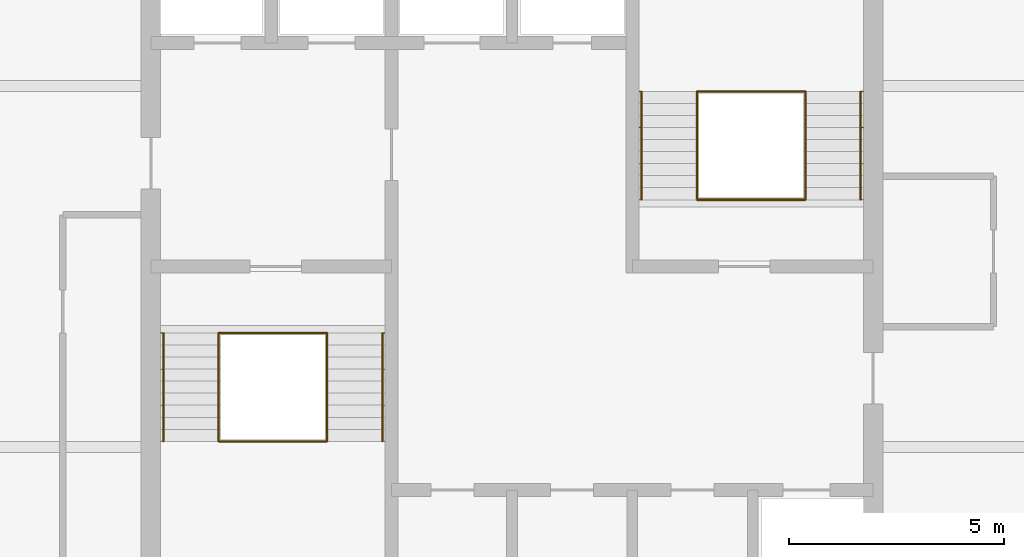
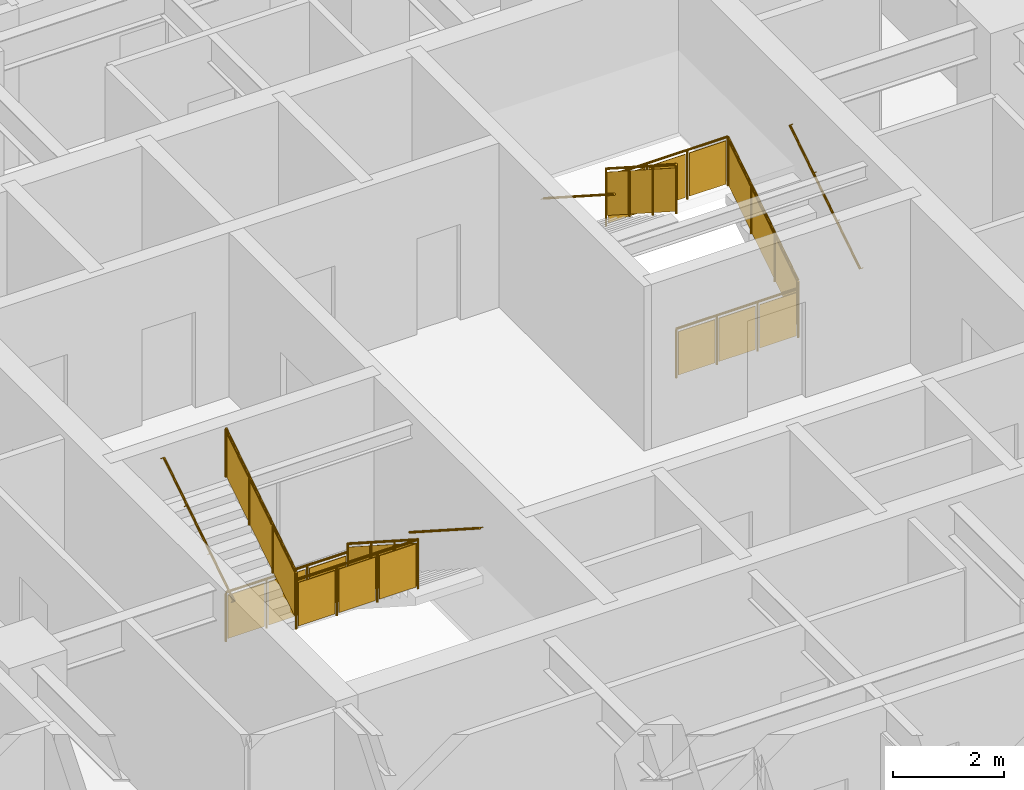
# One storey, part 10 of 10: 12 railings.
"""IFC4 building model written with IfcOpenShell, lengths in metres."""

from ifc_helpers import new_model, si_unit, direction, frame, origin, origin_2d, place, context, subcontext, project, spatial, polyline, circle, outline, extrude, material, type_object, element, save


model = new_model("IFC4")

# Units and contexts
model_context = context("Model", 3, precision=1e-05, world=origin(), true_north=direction((0.0, 1.0)))
body_context = subcontext(model_context, "Body", "Model", "MODEL_VIEW")
ifc_project = project(units=[si_unit("LENGTHUNIT", "METRE"), si_unit("AREAUNIT", "SQUARE_METRE"), si_unit("VOLUMEUNIT", "CUBIC_METRE"), si_unit("PLANEANGLEUNIT", "RADIAN"), si_unit("MASSUNIT", "GRAM", prefix="KILO")], contexts=[model_context])

# Site, building, storey
site_placement = place(None, origin())
site = spatial("IfcSite", under=ifc_project, at=site_placement, CompositionType="ELEMENT")
building_placement = place(site_placement, origin())
building = spatial("IfcBuilding", under=site, at=building_placement, Name="Torre Alcanfor", CompositionType="ELEMENT")
storey_placement = place(building_placement, frame((0.0, 0.0, 261.300048828125)))
storey = spatial("IfcBuildingStorey", under=building, at=storey_placement, Name="L68", CompositionType="ELEMENT", Elevation=261.300048828125)

# Railings
ifc_material_1 = material(Name="Steel ASTM A500 Grade C hollow sections", Category="steel")
railing_type_1 = type_object("IfcRailingType", Name="Stair guard and handrail 1100", PredefinedType="GUARDRAIL", material=ifc_material_1)
railing_1_placement = place(storey_placement, frame((25.10009765625, 27.85009765625, 0.179931640625)))
element("IfcRailing", 1, at=railing_1_placement, inside=storey, type_object=railing_type_1, Name="Stair guard S1 L68 flight 1", PredefinedType="GUARDRAIL", context=body_context, shape_type="SweptSolid", body=[
    extrude(circle(Radius=0.02392578125, at=origin_2d()), frame((0.0, 0.0, 1.076171875), z_axis=(0.0, -0.841162588446, 0.540782303519), x_axis=(1.0, 0.0, 0.0)), (0.0, 0.0, 1.0), 2.995849609375),
    extrude(circle(Radius=0.02099609375, at=origin_2d()), origin(), (0.0, 0.0, 1.0), 1.052001953125),
    extrude(circle(Radius=0.02099609375, at=origin_2d()), frame((0.0, -0.840087890625, 0.5400390625)), (0.0, 0.0, 1.0), 1.052001953125),
    extrude(circle(Radius=0.02099609375, at=origin_2d()), frame((0.0, -1.679931640625, 1.080078125)), (0.0, 0.0, 1.0), 1.052001953125),
    extrude(circle(Radius=0.02099609375, at=origin_2d()), frame((0.0, -2.52001953125, 1.6201171875)), (0.0, 0.0, 1.0), 1.052001953125),
    extrude(outline(polyline([(0.041015625, 0.076416015625), (0.799072265625, 0.563720703125), (0.799072265625, 1.515625), (0.041015625, 1.0283203125), (0.041015625, 0.076416015625)])), frame((0.005859375, 0.0, 0.0), z_axis=(-1.0, 0.0, 0.0), x_axis=(0.0, -1.0, 0.0)), (0.0, 0.0, 1.0), 0.011962890625),
    extrude(outline(polyline([(0.881103515625, 0.616455078125), (1.638916015625, 1.103759765625), (1.638916015625, 2.0556640625), (0.881103515625, 1.568359375), (0.881103515625, 0.616455078125)])), frame((0.005859375, 0.0, 0.0), z_axis=(-1.0, 0.0, 0.0), x_axis=(0.0, -1.0, 0.0)), (0.0, 0.0, 1.0), 0.011962890625),
    extrude(outline(polyline([(1.720947265625, 1.156494140625), (2.47900390625, 1.643798828125), (2.47900390625, 2.595703125), (1.720947265625, 2.1083984375), (1.720947265625, 1.156494140625)])), frame((0.005859375, 0.0, 0.0), z_axis=(-1.0, 0.0, 0.0), x_axis=(0.0, -1.0, 0.0)), (0.0, 0.0, 1.0), 0.011962890625),
])
railing_2_placement = place(storey_placement, frame((22.574951171875, 25.330078125, 1.97998046875)))
element("IfcRailing", 2, at=railing_2_placement, inside=storey, type_object=railing_type_1, Name="Stair guard S1 L68 flight 2", PredefinedType="GUARDRAIL", context=body_context, shape_type="SweptSolid", body=[
    extrude(circle(Radius=0.02392578125, at=origin_2d()), frame((0.0, 0.0, 1.076171875), z_axis=(0.0, 0.841199657755, 0.540724639528), x_axis=(-1.0, 0.0, 0.0)), (0.0, 0.0, 1.0), 2.995849609375),
    extrude(circle(Radius=0.02099609375, at=origin_2d()), origin(), (0.0, 0.0, 1.0), 1.052001953125),
    extrude(circle(Radius=0.02099609375, at=origin_2d()), frame((0.0, 0.840087890625, 0.5400390625)), (0.0, 0.0, 1.0), 1.052001953125),
    extrude(circle(Radius=0.02099609375, at=origin_2d()), frame((0.0, 1.679931640625, 1.079833984375)), (0.0, 0.0, 1.0), 1.052001953125),
    extrude(circle(Radius=0.02099609375, at=origin_2d()), frame((0.0, 2.52001953125, 1.619873046875)), (0.0, 0.0, 1.0), 1.052001953125),
    extrude(outline(polyline([(0.041015625, 0.076416015625), (0.799072265625, 0.563720703125), (0.799072265625, 1.515625), (0.041015625, 1.0283203125), (0.041015625, 0.076416015625)])), frame((-0.005859375, 0.0, 0.0), z_axis=(1.0, 0.0, 0.0), x_axis=(0.0, 1.0, 0.0)), (0.0, 0.0, 1.0), 0.011962890625),
    extrude(outline(polyline([(0.881103515625, 0.6162109375), (1.638916015625, 1.103515625), (1.638916015625, 2.0556640625), (0.881103515625, 1.568359375), (0.881103515625, 0.6162109375)])), frame((-0.005859375, 0.0, 0.0), z_axis=(1.0, 0.0, 0.0), x_axis=(0.0, 1.0, 0.0)), (0.0, 0.0, 1.0), 0.011962890625),
    extrude(outline(polyline([(1.720947265625, 1.15625), (2.47900390625, 1.6435546875), (2.47900390625, 2.595458984375), (1.720947265625, 2.108154296875), (1.720947265625, 1.15625)])), frame((-0.005859375, 0.0, 0.0), z_axis=(1.0, 0.0, 0.0), x_axis=(0.0, 1.0, 0.0)), (0.0, 0.0, 1.0), 0.011962890625),
])
for number, where, name in (
    (3, (22.574951171875, 27.85009765625, 0.0), "Stair well guard S1 L68 floor landing"),
    (4, (22.574951171875, 25.330078125, 1.800048828125), "Stair well guard S1 L68 half landing"),
):
    element("IfcRailing", number, at=place(storey_placement, frame(where)), inside=storey, type_object=railing_type_1, Name=name, PredefinedType="GUARDRAIL", context=body_context, shape_type="SweptSolid", body=[
        extrude(circle(Radius=0.02392578125, at=origin_2d()), frame((0.0, 0.0, 1.076171875), z_axis=(1.0, 0.0, 0.0), x_axis=(0.0, 1.0, 0.0)), (0.0, 0.0, 1.0), 2.525146484375),
        extrude(circle(Radius=0.02099609375, at=origin_2d()), origin(), (0.0, 0.0, 1.0), 1.052001953125),
        extrude(circle(Radius=0.02099609375, at=origin_2d()), frame((0.841796875, 0.0, 0.0)), (0.0, 0.0, 1.0), 1.052001953125),
        extrude(circle(Radius=0.02099609375, at=origin_2d()), frame((1.683349609375, 0.0, 0.0)), (0.0, 0.0, 1.0), 1.052001953125),
        extrude(circle(Radius=0.02099609375, at=origin_2d()), frame((2.525146484375, 0.0, 0.0)), (0.0, 0.0, 1.0), 1.052001953125),
        extrude(outline(polyline([(0.041015625, 0.050048828125), (0.80078125, 0.050048828125), (0.80078125, 1.001953125), (0.041015625, 1.001953125), (0.041015625, 0.050048828125)])), frame((0.0, 0.005859375, 0.0), z_axis=(0.0, -1.0, 0.0), x_axis=(1.0, 0.0, 0.0)), (0.0, 0.0, 1.0), 0.011962890625),
        extrude(outline(polyline([(0.8828125, 0.050048828125), (1.642333984375, 0.050048828125), (1.642333984375, 1.001953125), (0.8828125, 1.001953125), (0.8828125, 0.050048828125)])), frame((0.0, 0.005859375, 0.0), z_axis=(0.0, -1.0, 0.0), x_axis=(1.0, 0.0, 0.0)), (0.0, 0.0, 1.0), 0.011962890625),
        extrude(outline(polyline([(1.724365234375, 0.050048828125), (2.484130859375, 0.050048828125), (2.484130859375, 1.001953125), (1.724365234375, 1.001953125), (1.724365234375, 0.050048828125)])), frame((0.0, 0.005859375, 0.0), z_axis=(0.0, -1.0, 0.0), x_axis=(1.0, 0.0, 0.0)), (0.0, 0.0, 1.0), 0.011962890625),
    ])
railing_3_placement = place(storey_placement, frame((36.22509765625, 30.949951171875, 0.179931640625)))
element("IfcRailing", 5, at=railing_3_placement, inside=storey, type_object=railing_type_1, Name="Stair guard S2 L68 flight 1", PredefinedType="GUARDRAIL", context=body_context, shape_type="SweptSolid", body=[
    extrude(circle(Radius=0.02392578125, at=origin_2d()), frame((0.0, 0.0, 1.076171875), z_axis=(0.0, 0.841162588446, 0.540782303519), x_axis=(-1.0, 0.0, 0.0)), (0.0, 0.0, 1.0), 2.995849609375),
    extrude(circle(Radius=0.02099609375, at=origin_2d()), origin(), (0.0, 0.0, 1.0), 1.052001953125),
    extrude(circle(Radius=0.02099609375, at=origin_2d()), frame((0.0, 0.840087890625, 0.5400390625)), (0.0, 0.0, 1.0), 1.052001953125),
    extrude(circle(Radius=0.02099609375, at=origin_2d()), frame((0.0, 1.679931640625, 1.080078125)), (0.0, 0.0, 1.0), 1.052001953125),
    extrude(circle(Radius=0.02099609375, at=origin_2d()), frame((0.0, 2.52001953125, 1.6201171875)), (0.0, 0.0, 1.0), 1.052001953125),
    extrude(outline(polyline([(0.041015625, 0.076416015625), (0.799072265625, 0.563720703125), (0.799072265625, 1.515625), (0.041015625, 1.0283203125), (0.041015625, 0.076416015625)])), frame((-0.005859375, 0.0, 0.0), z_axis=(1.0, 0.0, 0.0), x_axis=(0.0, 1.0, 0.0)), (0.0, 0.0, 1.0), 0.011962890625),
    extrude(outline(polyline([(0.881103515625, 0.616455078125), (1.638916015625, 1.103759765625), (1.638916015625, 2.0556640625), (0.881103515625, 1.568359375), (0.881103515625, 0.616455078125)])), frame((-0.005859375, 0.0, 0.0), z_axis=(1.0, 0.0, 0.0), x_axis=(0.0, 1.0, 0.0)), (0.0, 0.0, 1.0), 0.011962890625),
    extrude(outline(polyline([(1.720947265625, 1.156494140625), (2.47900390625, 1.643798828125), (2.47900390625, 2.595703125), (1.720947265625, 2.1083984375), (1.720947265625, 1.156494140625)])), frame((-0.005859375, 0.0, 0.0), z_axis=(1.0, 0.0, 0.0), x_axis=(0.0, 1.0, 0.0)), (0.0, 0.0, 1.0), 0.011962890625),
])
railing_4_placement = place(storey_placement, frame((33.699951171875, 33.469970703125, 1.97998046875)))
element("IfcRailing", 6, at=railing_4_placement, inside=storey, type_object=railing_type_1, Name="Stair guard S2 L68 flight 2", PredefinedType="GUARDRAIL", context=body_context, shape_type="SweptSolid", body=[
    extrude(circle(Radius=0.02392578125, at=origin_2d()), frame((0.0, 0.0, 1.076171875), z_axis=(0.0, -0.841199657755, 0.540724639528), x_axis=(1.0, 0.0, 0.0)), (0.0, 0.0, 1.0), 2.995849609375),
    extrude(circle(Radius=0.02099609375, at=origin_2d()), origin(), (0.0, 0.0, 1.0), 1.052001953125),
    extrude(circle(Radius=0.02099609375, at=origin_2d()), frame((0.0, -0.840087890625, 0.5400390625)), (0.0, 0.0, 1.0), 1.052001953125),
    extrude(circle(Radius=0.02099609375, at=origin_2d()), frame((0.0, -1.679931640625, 1.079833984375)), (0.0, 0.0, 1.0), 1.052001953125),
    extrude(circle(Radius=0.02099609375, at=origin_2d()), frame((0.0, -2.52001953125, 1.619873046875)), (0.0, 0.0, 1.0), 1.052001953125),
    extrude(outline(polyline([(0.041015625, 0.076416015625), (0.799072265625, 0.563720703125), (0.799072265625, 1.515625), (0.041015625, 1.0283203125), (0.041015625, 0.076416015625)])), frame((0.005859375, 0.0, 0.0), z_axis=(-1.0, 0.0, 0.0), x_axis=(0.0, -1.0, 0.0)), (0.0, 0.0, 1.0), 0.011962890625),
    extrude(outline(polyline([(0.881103515625, 0.6162109375), (1.638916015625, 1.103515625), (1.638916015625, 2.0556640625), (0.881103515625, 1.568359375), (0.881103515625, 0.6162109375)])), frame((0.005859375, 0.0, 0.0), z_axis=(-1.0, 0.0, 0.0), x_axis=(0.0, -1.0, 0.0)), (0.0, 0.0, 1.0), 0.011962890625),
    extrude(outline(polyline([(1.720947265625, 1.15625), (2.47900390625, 1.6435546875), (2.47900390625, 2.595458984375), (1.720947265625, 2.108154296875), (1.720947265625, 1.15625)])), frame((0.005859375, 0.0, 0.0), z_axis=(-1.0, 0.0, 0.0), x_axis=(0.0, -1.0, 0.0)), (0.0, 0.0, 1.0), 0.011962890625),
])
for number, where, name in (
    (7, (33.699951171875, 30.949951171875, 0.0), "Stair well guard S2 L68 floor landing"),
    (8, (33.699951171875, 33.469970703125, 1.800048828125), "Stair well guard S2 L68 half landing"),
):
    element("IfcRailing", number, at=place(storey_placement, frame(where)), inside=storey, type_object=railing_type_1, Name=name, PredefinedType="GUARDRAIL", context=body_context, shape_type="SweptSolid", body=[
        extrude(circle(Radius=0.02392578125, at=origin_2d()), frame((0.0, 0.0, 1.076171875), z_axis=(1.0, 0.0, 0.0), x_axis=(0.0, 1.0, 0.0)), (0.0, 0.0, 1.0), 2.525146484375),
        extrude(circle(Radius=0.02099609375, at=origin_2d()), origin(), (0.0, 0.0, 1.0), 1.052001953125),
        extrude(circle(Radius=0.02099609375, at=origin_2d()), frame((0.841796875, 0.0, 0.0)), (0.0, 0.0, 1.0), 1.052001953125),
        extrude(circle(Radius=0.02099609375, at=origin_2d()), frame((1.683349609375, 0.0, 0.0)), (0.0, 0.0, 1.0), 1.052001953125),
        extrude(circle(Radius=0.02099609375, at=origin_2d()), frame((2.525146484375, 0.0, 0.0)), (0.0, 0.0, 1.0), 1.052001953125),
        extrude(outline(polyline([(0.041015625, 0.050048828125), (0.80078125, 0.050048828125), (0.80078125, 1.001953125), (0.041015625, 1.001953125), (0.041015625, 0.050048828125)])), frame((0.0, 0.005859375, 0.0), z_axis=(0.0, -1.0, 0.0), x_axis=(1.0, 0.0, 0.0)), (0.0, 0.0, 1.0), 0.011962890625),
        extrude(outline(polyline([(0.8828125, 0.050048828125), (1.642333984375, 0.050048828125), (1.642333984375, 1.001953125), (0.8828125, 1.001953125), (0.8828125, 0.050048828125)])), frame((0.0, 0.005859375, 0.0), z_axis=(0.0, -1.0, 0.0), x_axis=(1.0, 0.0, 0.0)), (0.0, 0.0, 1.0), 0.011962890625),
        extrude(outline(polyline([(1.724365234375, 0.050048828125), (2.484130859375, 0.050048828125), (2.484130859375, 1.001953125), (1.724365234375, 1.001953125), (1.724365234375, 0.050048828125)])), frame((0.0, 0.005859375, 0.0), z_axis=(0.0, -1.0, 0.0), x_axis=(1.0, 0.0, 0.0)), (0.0, 0.0, 1.0), 0.011962890625),
    ])
ifc_material_2 = material(Name="Steel ASTM A500 Grade C hollow sections", Category="steel")
railing_type_2 = type_object("IfcRailingType", Name="Stair wall handrail 900", PredefinedType="HANDRAIL", material=ifc_material_2)
railing_5_placement = place(storey_placement, frame((26.385009765625, 27.85009765625, 0.179931640625)))
element("IfcRailing", 9, at=railing_5_placement, inside=storey, type_object=railing_type_2, Name="Stair handrail S1 L68 flight 1", PredefinedType="HANDRAIL", context=body_context, shape_type="SweptSolid", body=[
    extrude(circle(Radius=0.02392578125, at=origin_2d()), frame((0.0, 0.0, 0.8759765625), z_axis=(0.0, -0.841162588446, 0.540782303519), x_axis=(1.0, 0.0, 0.0)), (0.0, 0.0, 1.0), 2.995849609375),
    extrude(circle(Radius=0.008056640625, at=origin_2d()), frame((0.0, 0.0, 0.8759765625), z_axis=(1.0, 0.0, 0.0), x_axis=(0.0, 0.0, 1.0)), (0.0, 0.0, 1.0), 0.06494140625),
    extrude(circle(Radius=0.008056640625, at=origin_2d()), frame((0.0, -0.840087890625, 1.416015625), z_axis=(1.0, 0.0, 0.0), x_axis=(0.0, 0.0, 1.0)), (0.0, 0.0, 1.0), 0.06494140625),
    extrude(circle(Radius=0.008056640625, at=origin_2d()), frame((0.0, -1.679931640625, 1.9560546875), z_axis=(1.0, 0.0, 0.0), x_axis=(0.0, 0.0, 1.0)), (0.0, 0.0, 1.0), 0.06494140625),
    extrude(circle(Radius=0.008056640625, at=origin_2d()), frame((0.0, -2.52001953125, 2.49609375), z_axis=(1.0, 0.0, 0.0), x_axis=(0.0, 0.0, 1.0)), (0.0, 0.0, 1.0), 0.06494140625),
])
railing_6_placement = place(storey_placement, frame((21.2900390625, 25.330078125, 1.97998046875)))
element("IfcRailing", 10, at=railing_6_placement, inside=storey, type_object=railing_type_2, Name="Stair handrail S1 L68 flight 2", PredefinedType="HANDRAIL", context=body_context, shape_type="SweptSolid", body=[
    extrude(circle(Radius=0.02392578125, at=origin_2d()), frame((0.0, 0.0, 0.8759765625), z_axis=(0.0, 0.841199657755, 0.540724639528), x_axis=(-1.0, 0.0, 0.0)), (0.0, 0.0, 1.0), 2.995849609375),
    extrude(circle(Radius=0.008056640625, at=origin_2d()), frame((0.0, 0.0, 0.8759765625), z_axis=(-1.0, 0.0, 0.0), x_axis=(0.0, 0.0, 1.0)), (0.0, 0.0, 1.0), 0.06494140625),
    extrude(circle(Radius=0.008056640625, at=origin_2d()), frame((0.0, 0.840087890625, 1.415771484375), z_axis=(-1.0, 0.0, 0.0), x_axis=(0.0, 0.0, 1.0)), (0.0, 0.0, 1.0), 0.06494140625),
    extrude(circle(Radius=0.008056640625, at=origin_2d()), frame((0.0, 1.679931640625, 1.955810546875), z_axis=(-1.0, 0.0, 0.0), x_axis=(0.0, 0.0, 1.0)), (0.0, 0.0, 1.0), 0.06494140625),
    extrude(circle(Radius=0.008056640625, at=origin_2d()), frame((0.0, 2.52001953125, 2.49560546875), z_axis=(-1.0, 0.0, 0.0), x_axis=(0.0, 0.0, 1.0)), (0.0, 0.0, 1.0), 0.06494140625),
])
railing_7_placement = place(storey_placement, frame((37.510009765625, 30.949951171875, 0.179931640625)))
element("IfcRailing", 11, at=railing_7_placement, inside=storey, type_object=railing_type_2, Name="Stair handrail S2 L68 flight 1", PredefinedType="HANDRAIL", context=body_context, shape_type="SweptSolid", body=[
    extrude(circle(Radius=0.02392578125, at=origin_2d()), frame((0.0, 0.0, 0.8759765625), z_axis=(0.0, 0.841162588446, 0.540782303519), x_axis=(-1.0, 0.0, 0.0)), (0.0, 0.0, 1.0), 2.995849609375),
    extrude(circle(Radius=0.008056640625, at=origin_2d()), frame((0.0, 0.0, 0.8759765625), z_axis=(1.0, 0.0, 0.0), x_axis=(0.0, 0.0, 1.0)), (0.0, 0.0, 1.0), 0.06494140625),
    extrude(circle(Radius=0.008056640625, at=origin_2d()), frame((0.0, 0.840087890625, 1.416015625), z_axis=(1.0, 0.0, 0.0), x_axis=(0.0, 0.0, 1.0)), (0.0, 0.0, 1.0), 0.06494140625),
    extrude(circle(Radius=0.008056640625, at=origin_2d()), frame((0.0, 1.679931640625, 1.9560546875), z_axis=(1.0, 0.0, 0.0), x_axis=(0.0, 0.0, 1.0)), (0.0, 0.0, 1.0), 0.06494140625),
    extrude(circle(Radius=0.008056640625, at=origin_2d()), frame((0.0, 2.52001953125, 2.49609375), z_axis=(1.0, 0.0, 0.0), x_axis=(0.0, 0.0, 1.0)), (0.0, 0.0, 1.0), 0.06494140625),
])
railing_8_placement = place(storey_placement, frame((32.4150390625, 33.469970703125, 1.97998046875)))
element("IfcRailing", 12, at=railing_8_placement, inside=storey, type_object=railing_type_2, Name="Stair handrail S2 L68 flight 2", PredefinedType="HANDRAIL", context=body_context, shape_type="SweptSolid", body=[
    extrude(circle(Radius=0.02392578125, at=origin_2d()), frame((0.0, 0.0, 0.8759765625), z_axis=(0.0, -0.841199657755, 0.540724639528), x_axis=(1.0, 0.0, 0.0)), (0.0, 0.0, 1.0), 2.995849609375),
    extrude(circle(Radius=0.008056640625, at=origin_2d()), frame((0.0, 0.0, 0.8759765625), z_axis=(-1.0, 0.0, 0.0), x_axis=(0.0, 0.0, 1.0)), (0.0, 0.0, 1.0), 0.06494140625),
    extrude(circle(Radius=0.008056640625, at=origin_2d()), frame((0.0, -0.840087890625, 1.415771484375), z_axis=(-1.0, 0.0, 0.0), x_axis=(0.0, 0.0, 1.0)), (0.0, 0.0, 1.0), 0.06494140625),
    extrude(circle(Radius=0.008056640625, at=origin_2d()), frame((0.0, -1.679931640625, 1.955810546875), z_axis=(-1.0, 0.0, 0.0), x_axis=(0.0, 0.0, 1.0)), (0.0, 0.0, 1.0), 0.06494140625),
    extrude(circle(Radius=0.008056640625, at=origin_2d()), frame((0.0, -2.52001953125, 2.49560546875), z_axis=(-1.0, 0.0, 0.0), x_axis=(0.0, 0.0, 1.0)), (0.0, 0.0, 1.0), 0.06494140625),
])

save(model, "model.ifc")
